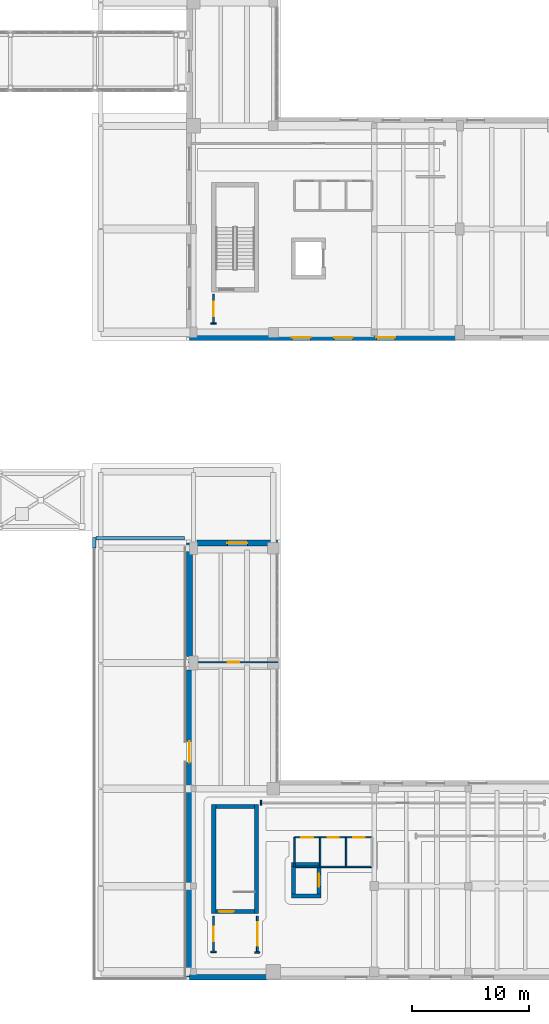
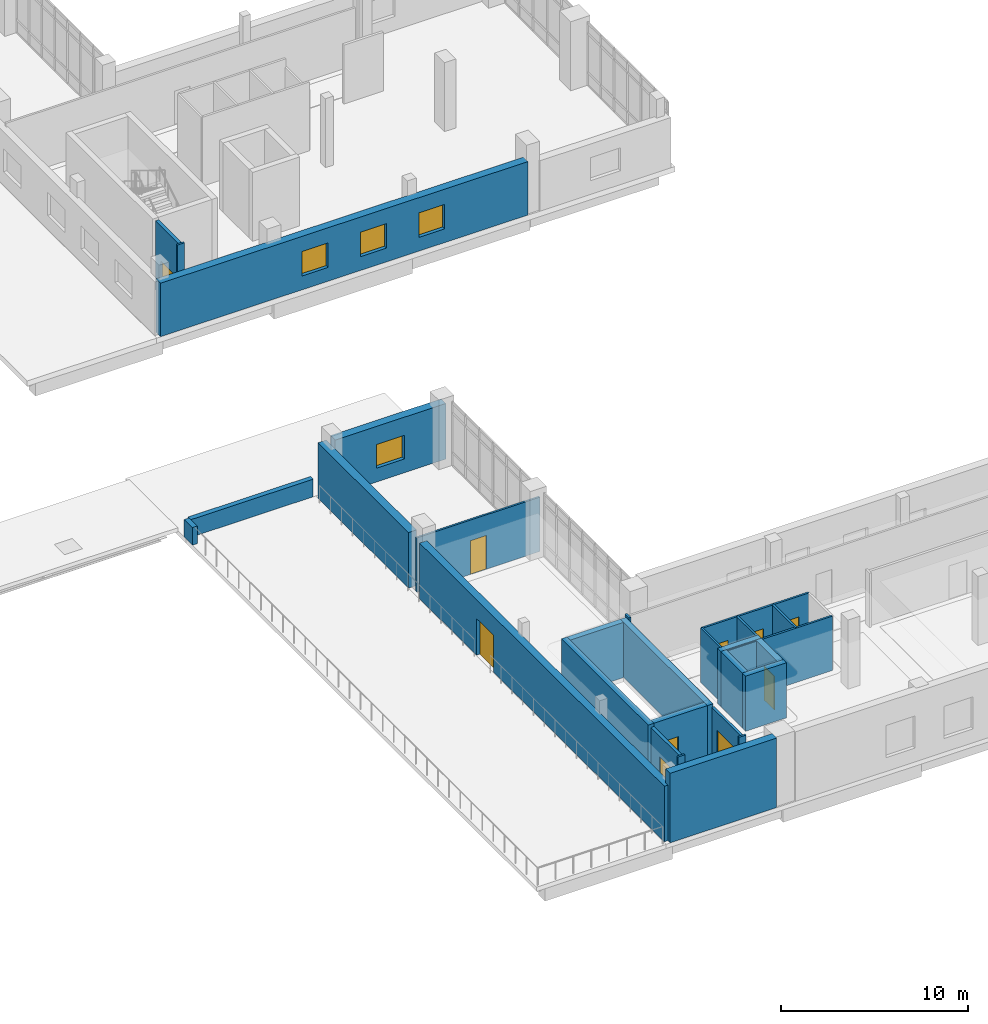
# One storey, part 52 of 75: 28 walls, 10 doors, 4 windows, 14 openings.
"""IFC4 building model written with IfcOpenShell, lengths in metres."""

from ifc_helpers import new_model, si_unit, direction, frame, frame_2d, origin, place, context, subcontext, project, spatial, rectangle, extrude, material, layer, layer_set, type_object, element, fill, save


model = new_model("IFC4")

# Units and contexts
model_context = context("Model", 3, precision=1e-05, world=origin(), true_north=direction((0.0, 1.0)))
body_context = subcontext(model_context, "Body", "Model", "MODEL_VIEW")
ifc_project = project(units=[si_unit("LENGTHUNIT", "METRE"), si_unit("AREAUNIT", "SQUARE_METRE"), si_unit("VOLUMEUNIT", "CUBIC_METRE"), si_unit("PLANEANGLEUNIT", "RADIAN"), si_unit("MASSUNIT", "GRAM", prefix="KILO")], contexts=[model_context])

# Site, building, storey
site_placement = place(None, origin())
site = spatial("IfcSite", under=ifc_project, at=site_placement, CompositionType="ELEMENT")
building_placement = place(site_placement, origin())
building = spatial("IfcBuilding", under=site, at=building_placement, Name="Soyqirgoq Riverine Aquarium", CompositionType="ELEMENT")
storey_placement = place(building_placement, frame((0.0, 0.0, 10.199951171875)))
storey = spatial("IfcBuildingStorey", under=building, at=storey_placement, Name="L03", CompositionType="ELEMENT", Elevation=10.199951171875)

# Walls
ifc_material_1 = material(Name="Concrete C40/50", Category="concrete")
ifc_layer_1 = layer(ifc_material_1, 0.35009765625)
ifc_layer_set_1 = layer_set([ifc_layer_1], Name="Concrete C40/50")
wall_type_1 = type_object("IfcWallType", Name="CoreShearWall_350_C40", PredefinedType="SHEAR", material=ifc_layer_set_1)
wall_1_placement = place(storey_placement, frame((127.97509765625, 7.14990234375, 0.0), z_axis=(0.0, 0.0, 1.0), x_axis=(0.0, 1.0, 0.0)))
element("IfcWall", 1, at=wall_1_placement, inside=storey, type_object=wall_type_1, Name="CORE-6 L03 Stair Core Shear Wall SIDE1", PredefinedType="SHEAR", context=body_context, shape_type="SweptSolid", body=[
    extrude(rectangle(XDim=9.300048828125, YDim=0.35009765625, at=frame_2d((4.64990234375, 0.0))), origin(), (0.0, 0.0, 1.0), 3.60009765625),
])
wall_2_placement = place(storey_placement, frame((127.800048828125, 16.27490234375, 0.0), z_axis=(0.0, 0.0, 1.0), x_axis=(-1.0, 0.0, 0.0)))
element("IfcWall", 2, at=wall_2_placement, inside=storey, type_object=wall_type_1, Name="CORE-6 L03 Stair Core Shear Wall BACK", PredefinedType="SHEAR", context=body_context, shape_type="SweptSolid", body=[
    extrude(rectangle(XDim=3.300048828125, YDim=0.35009765625, at=frame_2d((1.64990234375, 0.0))), origin(), (0.0, 0.0, 1.0), 3.60009765625),
])
wall_3_placement = place(storey_placement, frame((124.324951171875, 16.449951171875, 0.0), z_axis=(0.0, 0.0, 1.0), x_axis=(0.0, -1.0, 0.0)))
element("IfcWall", 3, at=wall_3_placement, inside=storey, type_object=wall_type_1, Name="CORE-6 L03 Stair Core Shear Wall SIDE2", PredefinedType="SHEAR", context=body_context, shape_type="SweptSolid", body=[
    extrude(rectangle(XDim=9.300048828125, YDim=0.35009765625, at=frame_2d((4.64990234375, 0.0))), origin(), (0.0, 0.0, 1.0), 3.60009765625),
])

# Wall, opening, door
wall_4_placement = place(storey_placement, frame((124.5, 7.324951171875, 0.0), z_axis=(0.0, 0.0, 1.0), x_axis=(1.0, 0.0, 0.0)))
wall_4 = element("IfcWall", 4, at=wall_4_placement, inside=storey, type_object=wall_type_1, Name="CORE-6 L03 Stair Core Shear Wall FRONT", PredefinedType="SHEAR", context=body_context, shape_type="SweptSolid", body=[
    extrude(rectangle(XDim=3.300048828125, YDim=0.35009765625, at=frame_2d((1.64990234375, 0.0))), origin(), (0.0, 0.0, 1.0), 3.60009765625),
])
opening_1_placement = place(wall_4_placement, frame((0.280029296875, 0.0, 0.0)))
opening_1 = element("IfcOpeningElement", 5, at=opening_1_placement, cuts=wall_4, Name="Opening FD-01", PredefinedType="OPENING", context=body_context, shape_type="SweptSolid", body=[
    extrude(rectangle(XDim=1.25, YDim=2.199951171875, at=frame_2d((0.625, 1.10009765625))), frame((0.0, 0.18505859375, 0.0), z_axis=(0.0, -1.0, 0.0), x_axis=(1.0, 0.0, 0.0)), (0.0, 0.0, 1.0), 0.3701171875),
])
ifc_material_2 = material(Name="Galvanised steel fire-resisting stair door", Category="steel")
door_type_1 = type_object("IfcDoorType", Name="StairFireDoor_1250x2200_EI90", OperationType="NOTDEFINED", PredefinedType="DOOR", material=ifc_material_2)
door_1_placement = place(opening_1_placement, origin())
door_1 = element("IfcDoor", 6, at=door_1_placement, inside=storey, type_object=door_type_1, Name="DR-ST-7-L03 ST-7 L03 Fire-Rated Stairwell Door", OperationType="SINGLE_SWING_RIGHT", OverallHeight=2.199951171875, OverallWidth=1.25, PredefinedType="DOOR", context=body_context, shape_type="SweptSolid", body=[
    extrude(rectangle(XDim=1.25, YDim=2.199951171875, at=frame_2d((0.625, 1.10009765625))), frame((0.0, 0.02490234375, 0.0), z_axis=(0.0, -1.0, 0.0), x_axis=(1.0, 0.0, 0.0)), (0.0, 0.0, 1.0), 0.050048828125),
])
fill(opening_1, door_1)

# Wall
wall_5_placement = place(storey_placement, frame((130.945068359375, 8.669921875, 0.0), z_axis=(0.0, 0.0, 1.0), x_axis=(1.0, 0.0, 0.0)))
element("IfcWall", 7, at=wall_5_placement, inside=storey, type_object=wall_type_1, Name="Lift PL-4 Shaft Wall L03 1", PredefinedType="SHEAR", context=body_context, shape_type="SweptSolid", body=[
    extrude(rectangle(XDim=2.510009765625, YDim=0.35009765625, at=frame_2d((1.2548828125, 0.0))), origin(), (0.0, 0.0, 1.0), 3.60009765625),
])

# Wall, opening, door
wall_6_placement = place(storey_placement, frame((133.280029296875, 8.844970703125, 0.0), z_axis=(0.0, 0.0, 1.0), x_axis=(0.0, 1.0, 0.0)))
wall_6 = element("IfcWall", 8, at=wall_6_placement, inside=storey, type_object=wall_type_1, Name="Lift PL-4 Shaft Wall L03 2", PredefinedType="SHEAR", context=body_context, shape_type="SweptSolid", body=[
    extrude(rectangle(XDim=2.31005859375, YDim=0.35009765625, at=frame_2d((1.155029296875, 0.0))), origin(), (0.0, 0.0, 1.0), 3.60009765625),
])
opening_2_placement = place(wall_6_placement, frame((0.60498046875, 0.0, 0.0)))
opening_2 = element("IfcOpeningElement", 9, at=opening_2_placement, cuts=wall_6, Name="Opening LD-01", PredefinedType="OPENING", context=body_context, shape_type="SweptSolid", body=[
    extrude(rectangle(XDim=1.10009765625, YDim=2.199951171875, at=frame_2d((0.550048828125, 1.10009765625))), frame((0.0, 0.18505859375, 0.0), z_axis=(0.0, -1.0, 0.0), x_axis=(1.0, 0.0, 0.0)), (0.0, 0.0, 1.0), 0.3701171875),
])
ifc_material_3 = material(Name="Brushed stainless steel telescopic lift landing door", Category="steel")
door_type_2 = type_object("IfcDoorType", Name="LiftLandingDoor_1100x2200", OperationType="SLIDING_TO_LEFT", PredefinedType="DOOR", material=ifc_material_3)
door_2_placement = place(opening_2_placement, origin())
door_2 = element("IfcDoor", 10, at=door_2_placement, inside=storey, type_object=door_type_2, Name="LD-PL-4-L03 Lift PL-4 L03 Sliding Landing Door", OperationType="SLIDING_TO_LEFT", OverallHeight=2.199951171875, OverallWidth=1.10009765625, PredefinedType="DOOR", context=body_context, shape_type="SweptSolid", body=[
    extrude(rectangle(XDim=1.10009765625, YDim=2.199951171875, at=frame_2d((0.550048828125, 1.10009765625))), frame((0.0, 0.02490234375, 0.0), z_axis=(0.0, -1.0, 0.0), x_axis=(1.0, 0.0, 0.0)), (0.0, 0.0, 1.0), 0.050048828125),
])
fill(opening_2, door_2)

# Walls
wall_7_placement = place(storey_placement, frame((133.455078125, 11.330078125, 0.0), z_axis=(0.0, 0.0, 1.0), x_axis=(-1.0, 0.0, 0.0)))
element("IfcWall", 11, at=wall_7_placement, inside=storey, type_object=wall_type_1, Name="Lift PL-4 Shaft Wall L03 3", PredefinedType="SHEAR", context=body_context, shape_type="SweptSolid", body=[
    extrude(rectangle(XDim=2.510009765625, YDim=0.35009765625, at=frame_2d((1.2548828125, 0.0))), origin(), (0.0, 0.0, 1.0), 3.60009765625),
])
wall_8_placement = place(storey_placement, frame((131.1201171875, 11.155029296875, 0.0), z_axis=(0.0, 0.0, 1.0), x_axis=(0.0, -1.0, 0.0)))
element("IfcWall", 12, at=wall_8_placement, inside=storey, type_object=wall_type_1, Name="Lift PL-4 Shaft Wall L03 4", PredefinedType="SHEAR", context=body_context, shape_type="SweptSolid", body=[
    extrude(rectangle(XDim=2.31005859375, YDim=0.35009765625, at=frame_2d((1.155029296875, 0.0))), origin(), (0.0, 0.0, 1.0), 3.60009765625),
])
ifc_material_4 = material(Name="Precast concrete C40/50", Category="concrete")
ifc_layer_2 = layer(ifc_material_4, 0.300048828125)
ifc_layer_set_2 = layer_set([ifc_layer_2], Name="Precast concrete C40/50")
wall_type_2 = type_object("IfcWallType", Name="ParapetWall_300", PredefinedType="PARAPET", material=ifc_layer_set_2)
wall_9_placement = place(storey_placement, frame((114.14990234375, 38.320068359375, 0.0), z_axis=(0.0, 0.0, 1.0), x_axis=(0.0, 1.0, 0.0)))
element("IfcWall", 13, at=wall_9_placement, inside=storey, type_object=wall_type_2, Name="L03 Terrace to Step-Roof West Return Parapet", PredefinedType="PARAPET", context=body_context, shape_type="SweptSolid", body=[
    extrude(rectangle(XDim=0.8798828125, YDim=0.300048828125, at=frame_2d((0.43994140625, 0.0))), origin(), (0.0, 0.0, 1.0), 1.150146484375),
])
wall_10_placement = place(storey_placement, frame((114.300048828125, 39.14990234375, 0.0), z_axis=(0.0, 0.0, 1.0), x_axis=(1.0, 0.0, 0.0)))
element("IfcWall", 14, at=wall_10_placement, inside=storey, type_object=wall_type_2, Name="L03 Terrace to Step-Roof Divider Parapet", PredefinedType="PARAPET", context=body_context, shape_type="SweptSolid", body=[
    extrude(rectangle(XDim=7.550048828125, YDim=0.300048828125, at=frame_2d((3.77490234375, 0.0))), origin(), (0.0, 0.0, 1.0), 1.150146484375),
])

# Wall, opening, door
ifc_material_5 = material(Name="Lightweight steel-stud gypsum partition", Category="steel")
ifc_layer_3 = layer(ifc_material_5, 0.1201171875)
ifc_layer_set_3 = layer_set([ifc_layer_3], Name="Lightweight steel-stud gypsum partition")
wall_type_3 = type_object("IfcWallType", Name="PartitionWall_120_Std", PredefinedType="PARTITIONING", material=ifc_layer_set_3)
wall_11_placement = place(storey_placement, frame((122.199951171875, 28.580078125, 0.0), z_axis=(0.0, 0.0, 1.0), x_axis=(1.0, 0.0, 0.0)))
wall_11 = element("IfcWall", 15, at=wall_11_placement, inside=storey, type_object=wall_type_3, Name="Marine Library Partition Wall", PredefinedType="PARTITIONING", context=body_context, shape_type="SweptSolid", body=[
    extrude(rectangle(XDim=7.60009765625, YDim=0.1201171875, at=frame_2d((3.800048828125, 0.0))), origin(), (0.0, 0.0, 1.0), 3.550048828125),
])
opening_3_placement = place(wall_11_placement, frame((3.300048828125, 0.0, 0.0)))
opening_3 = element("IfcOpeningElement", 16, at=opening_3_placement, cuts=wall_11, Name="Opening ID-03", PredefinedType="OPENING", context=body_context, shape_type="SweptSolid", body=[
    extrude(rectangle(XDim=1.0, YDim=2.199951171875, at=frame_2d((0.5, 1.10009765625))), frame((0.0, 0.070068359375, 0.0), z_axis=(0.0, -1.0, 0.0), x_axis=(1.0, 0.0, 0.0)), (0.0, 0.0, 1.0), 0.14013671875),
])
ifc_material_6 = material(Name="Solid-core ash veneer room door", Category="wood")
door_type_3 = type_object("IfcDoorType", Name="RoomDoor_1000x2200", OperationType="NOTDEFINED", PredefinedType="DOOR", material=ifc_material_6)
door_3_placement = place(opening_3_placement, origin())
door_3 = element("IfcDoor", 17, at=door_3_placement, inside=storey, type_object=door_type_3, Name="IDR-V6-L03-0201 Marine Library Door", OperationType="SINGLE_SWING_LEFT", OverallHeight=2.199951171875, OverallWidth=1.0, PredefinedType="DOOR", context=body_context, shape_type="SweptSolid", body=[
    extrude(rectangle(XDim=1.0, YDim=2.199951171875, at=frame_2d((0.5, 1.10009765625))), frame((0.0, 0.02490234375, 0.0), z_axis=(0.0, -1.0, 0.0), x_axis=(1.0, 0.0, 0.0)), (0.0, 0.0, 1.0), 0.050048828125),
])
fill(opening_3, door_3)

# Walls
wall_12_placement = place(storey_placement, frame((124.080078125, 3.89990234375, 0.0), z_axis=(0.0, 0.0, 1.0), x_axis=(1.0, 0.0, 0.0)))
element("IfcWall", 18, at=wall_12_placement, inside=storey, type_object=wall_type_3, Name="V6 L03 Jamb Return Pier", PredefinedType="PARTITIONING", context=body_context, shape_type="SweptSolid", body=[
    extrude(rectangle(XDim=0.43994140625, YDim=0.1201171875, at=frame_2d((0.219970703125, 0.0))), origin(), (0.0, 0.0, 1.0), 3.550048828125),
])
wall_13_placement = place(storey_placement, frame((128.35009765625, 16.820068359375, 0.0), z_axis=(0.0, 0.0, 1.0), x_axis=(0.0, -1.0, 0.0)))
element("IfcWall", 19, at=wall_13_placement, inside=storey, type_object=wall_type_3, Name="V6 L03 Jamb Return Pier", PredefinedType="PARTITIONING", context=body_context, shape_type="SweptSolid", body=[
    extrude(rectangle(XDim=0.440185546875, YDim=0.1201171875, at=frame_2d((0.22021484375, 0.0))), origin(), (0.0, 0.0, 1.0), 3.550048828125),
])
wall_14_placement = place(storey_placement, frame((127.820068359375, 3.860107421875, 0.0), z_axis=(0.0, 0.0, 1.0), x_axis=(1.0, 0.0, 0.0)))
element("IfcWall", 20, at=wall_14_placement, inside=storey, type_object=wall_type_3, Name="V6 L03 Jamb Return Pier", PredefinedType="PARTITIONING", context=body_context, shape_type="SweptSolid", body=[
    extrude(rectangle(XDim=0.43994140625, YDim=0.1201171875, at=frame_2d((0.219970703125, 0.0))), origin(), (0.0, 0.0, 1.0), 3.550048828125),
])
wall_15_placement = place(storey_placement, frame((124.080078125, 57.449951171875, 0.0), z_axis=(0.0, 0.0, 1.0), x_axis=(1.0, 0.0, 0.0)))
element("IfcWall", 21, at=wall_15_placement, inside=storey, type_object=wall_type_3, Name="V7 L03 Jamb Return Pier", PredefinedType="PARTITIONING", context=body_context, shape_type="SweptSolid", body=[
    extrude(rectangle(XDim=0.43994140625, YDim=0.1201171875, at=frame_2d((0.219970703125, 0.0))), origin(), (0.0, 0.0, 1.0), 4.5),
])

# Wall, openings, doors
ifc_material_7 = material(Name="Moisture-resistant cement-board wet-room partition", Category="gypsum")
ifc_layer_4 = layer(ifc_material_7, 0.125)
ifc_layer_set_4 = layer_set([ifc_layer_4], Name="Moisture-resistant cement-board wet-room partition")
wall_type_4 = type_object("IfcWallType", Name="PartitionWall_125_Wet", PredefinedType="PARTITIONING", material=ifc_layer_set_4)
wall_16_placement = place(storey_placement, frame((131.199951171875, 13.64990234375, 0.0), z_axis=(0.0, 0.0, 1.0), x_axis=(1.0, 0.0, 0.0)))
wall_16 = element("IfcWall", 22, at=wall_16_placement, inside=storey, type_object=wall_type_4, Name="V6 L03 WC Suite Front Wall", PredefinedType="PARTITIONING", context=body_context, shape_type="SweptSolid", body=[
    extrude(rectangle(XDim=6.60009765625, YDim=0.125, at=frame_2d((3.300048828125, 0.0))), origin(), (0.0, 0.0, 1.0), 3.550048828125),
])
opening_4_placement = place(wall_16_placement, frame((0.60009765625, 0.0, 0.0)))
opening_4 = element("IfcOpeningElement", 23, at=opening_4_placement, cuts=wall_16, Name="Opening ID-05", PredefinedType="OPENING", context=body_context, shape_type="SweptSolid", body=[
    extrude(rectangle(XDim=1.0, YDim=2.199951171875, at=frame_2d((0.5, 1.10009765625))), frame((0.0, 0.072509765625, 0.0), z_axis=(0.0, -1.0, 0.0), x_axis=(1.0, 0.0, 0.0)), (0.0, 0.0, 1.0), 0.14501953125),
])
opening_5_placement = place(wall_16_placement, frame((2.824951171875, 0.0, 0.0)))
opening_5 = element("IfcOpeningElement", 24, at=opening_5_placement, cuts=wall_16, Name="Opening ID-06", PredefinedType="OPENING", context=body_context, shape_type="SweptSolid", body=[
    extrude(rectangle(XDim=0.949951171875, YDim=2.199951171875, at=frame_2d((0.47509765625, 1.10009765625))), frame((0.0, 0.072509765625, 0.0), z_axis=(0.0, -1.0, 0.0), x_axis=(1.0, 0.0, 0.0)), (0.0, 0.0, 1.0), 0.14501953125),
])
opening_6_placement = place(wall_16_placement, frame((5.02490234375, 0.0, 0.0)))
opening_6 = element("IfcOpeningElement", 25, at=opening_6_placement, cuts=wall_16, Name="Opening ID-06", PredefinedType="OPENING", context=body_context, shape_type="SweptSolid", body=[
    extrude(rectangle(XDim=0.949951171875, YDim=2.199951171875, at=frame_2d((0.47509765625, 1.10009765625))), frame((0.0, 0.072509765625, 0.0), z_axis=(0.0, -1.0, 0.0), x_axis=(1.0, 0.0, 0.0)), (0.0, 0.0, 1.0), 0.14501953125),
])
ifc_material_8 = material(Name="Moisture-resistant HPL accessible washroom door", Category="wood")
door_type_4 = type_object("IfcDoorType", Name="AccessibleWCDoor_1000x2200", OperationType="NOTDEFINED", PredefinedType="DOOR", material=ifc_material_8)
door_4_placement = place(opening_4_placement, origin())
door_4 = element("IfcDoor", 26, at=door_4_placement, inside=storey, type_object=door_type_4, Name="IDR-V6-L03-0196 Accessible WC Door", OperationType="SINGLE_SWING_LEFT", OverallHeight=2.199951171875, OverallWidth=1.0, PredefinedType="DOOR", context=body_context, shape_type="SweptSolid", body=[
    extrude(rectangle(XDim=1.0, YDim=2.199951171875, at=frame_2d((0.5, 1.10009765625))), frame((0.0, 0.02490234375, 0.0), z_axis=(0.0, -1.0, 0.0), x_axis=(1.0, 0.0, 0.0)), (0.0, 0.0, 1.0), 0.050048828125),
])
fill(opening_4, door_4)
ifc_material_9 = material(Name="Moisture-resistant HPL washroom door", Category="wood")
door_type_5 = type_object("IfcDoorType", Name="WCDoor_950x2200", OperationType="NOTDEFINED", PredefinedType="DOOR", material=ifc_material_9)
door_5_placement = place(opening_5_placement, origin())
door_5 = element("IfcDoor", 27, at=door_5_placement, inside=storey, type_object=door_type_5, Name="IDR-V6-L03-0197 Public Female WC Door", OperationType="SINGLE_SWING_RIGHT", OverallHeight=2.199951171875, OverallWidth=0.949951171875, PredefinedType="DOOR", context=body_context, shape_type="SweptSolid", body=[
    extrude(rectangle(XDim=0.949951171875, YDim=2.199951171875, at=frame_2d((0.47509765625, 1.10009765625))), frame((0.0, 0.02490234375, 0.0), z_axis=(0.0, -1.0, 0.0), x_axis=(1.0, 0.0, 0.0)), (0.0, 0.0, 1.0), 0.050048828125),
])
fill(opening_5, door_5)
door_6_placement = place(opening_6_placement, origin())
door_6 = element("IfcDoor", 28, at=door_6_placement, inside=storey, type_object=door_type_5, Name="IDR-V6-L03-0198 Public Male WC Door", OperationType="SINGLE_SWING_LEFT", OverallHeight=2.199951171875, OverallWidth=0.949951171875, PredefinedType="DOOR", context=body_context, shape_type="SweptSolid", body=[
    extrude(rectangle(XDim=0.949951171875, YDim=2.199951171875, at=frame_2d((0.47509765625, 1.10009765625))), frame((0.0, 0.02490234375, 0.0), z_axis=(0.0, -1.0, 0.0), x_axis=(1.0, 0.0, 0.0)), (0.0, 0.0, 1.0), 0.050048828125),
])
fill(opening_6, door_6)

# Walls
wall_17_placement = place(storey_placement, frame((131.199951171875, 11.14990234375, 0.0), z_axis=(0.0, 0.0, 1.0), x_axis=(1.0, 0.0, 0.0)))
element("IfcWall", 29, at=wall_17_placement, inside=storey, type_object=wall_type_4, Name="V6 L03 WC Suite Back Wall", PredefinedType="PARTITIONING", context=body_context, shape_type="SweptSolid", body=[
    extrude(rectangle(XDim=6.60009765625, YDim=0.125, at=frame_2d((3.300048828125, 0.0))), origin(), (0.0, 0.0, 1.0), 3.550048828125),
])
for number, where, z_axis, x_axis, name in (
    (30, (131.199951171875, 11.14990234375, 0.0), (0.0, 0.0, 1.0), (0.0, 1.0, 0.0), "V6 L03 WC Suite West Wall"),
    (31, (133.39990234375, 11.14990234375, 0.0), (0.0, 0.0, 1.0), (0.0, 1.0, 0.0), "V6 L03 WC Cubicle Divider 1"),
    (32, (135.60009765625, 11.14990234375, 0.0), (0.0, 0.0, 1.0), (0.0, 1.0, 0.0), "V6 L03 WC Cubicle Divider 2"),
):
    element("IfcWall", number, at=place(storey_placement, frame(where, z_axis=z_axis, x_axis=x_axis)), inside=storey, type_object=wall_type_4, Name=name, PredefinedType="PARTITIONING", context=body_context, shape_type="SweptSolid", body=[
        extrude(rectangle(XDim=2.5, YDim=0.125, at=frame_2d((1.25, 0.0))), origin(), (0.0, 0.0, 1.0), 3.550048828125),
    ])

# Wall, opening, door
ifc_material_10 = material(Name="Fire-rated acoustic gypsum stud partition", Category="gypsum")
ifc_layer_5 = layer(ifc_material_10, 0.159912109375)
ifc_layer_set_5 = layer_set([ifc_layer_5], Name="Fire-rated acoustic gypsum stud partition")
wall_type_5 = type_object("IfcWallType", Name="PartitionWall_160_EI60", PredefinedType="PARTITIONING", material=ifc_layer_set_5)
wall_18_placement = place(storey_placement, frame((128.0400390625, 6.949951171875, 0.0), z_axis=(0.0, 0.0, 1.0), x_axis=(0.0, -1.0, 0.0)))
wall_18 = element("IfcWall", 33, at=wall_18_placement, inside=storey, type_object=wall_type_5, Name="Marine Seminar Room Partition Wall", PredefinedType="PARTITIONING", context=body_context, shape_type="SweptSolid", body=[
    extrude(rectangle(XDim=3.08984375, YDim=0.159912109375, at=frame_2d((1.544921875, 0.0))), origin(), (0.0, 0.0, 1.0), 3.550048828125),
])
opening_7_placement = place(wall_18_placement, frame((0.544921875, 0.0, 0.0)))
opening_7 = element("IfcOpeningElement", 34, at=opening_7_placement, cuts=wall_18, Name="Opening ID-02", PredefinedType="OPENING", context=body_context, shape_type="SweptSolid", body=[
    extrude(rectangle(XDim=2.0, YDim=2.39990234375, at=frame_2d((1.0, 1.199951171875))), frame((0.0, 0.08984375, 0.0), z_axis=(0.0, -1.0, 0.0), x_axis=(1.0, 0.0, 0.0)), (0.0, 0.0, 1.0), 0.179931640625),
])
ifc_material_11 = material(Name="Acoustic solid oak auditorium double door", Category="wood")
door_type_6 = type_object("IfcDoorType", Name="AuditoriumDoubleDoor_2000x2400", OperationType="DOUBLE_DOOR_DOUBLE_SWING", PredefinedType="DOOR", material=ifc_material_11)
door_7_placement = place(opening_7_placement, origin())
door_7 = element("IfcDoor", 35, at=door_7_placement, inside=storey, type_object=door_type_6, Name="IDR-V6-L03-0203 Marine Seminar Room Door", OperationType="DOUBLE_DOOR_DOUBLE_SWING", OverallHeight=2.39990234375, OverallWidth=2.0, PredefinedType="DOOR", context=body_context, shape_type="SweptSolid", body=[
    extrude(rectangle(XDim=2.0, YDim=2.39990234375, at=frame_2d((1.0, 1.199951171875))), frame((0.0, 0.02490234375, 0.0), z_axis=(0.0, -1.0, 0.0), x_axis=(1.0, 0.0, 0.0)), (0.0, 0.0, 1.0), 0.050048828125),
])
fill(opening_7, door_7)

ifc_material_12 = material(Name="Fire-rated calcium silicate twin-stud partition", Category="gypsum")
ifc_layer_6 = layer(ifc_material_12, 0.199951171875)
ifc_layer_set_6 = layer_set([ifc_layer_6], Name="Fire-rated calcium silicate twin-stud partition")
wall_type_6 = type_object("IfcWallType", Name="PartitionWall_200_EI90", PredefinedType="PARTITIONING", material=ifc_layer_set_6)
wall_19_placement = place(storey_placement, frame((124.300048828125, 6.949951171875, 0.0), z_axis=(0.0, 0.0, 1.0), x_axis=(0.0, -1.0, 0.0)))
wall_19 = element("IfcWall", 36, at=wall_19_placement, inside=storey, type_object=wall_type_6, Name="Lift and Stair Lobby ST-7 Fire Enclosure Wall", PredefinedType="PARTITIONING", context=body_context, shape_type="SweptSolid", body=[
    extrude(rectangle(XDim=3.050048828125, YDim=0.199951171875, at=frame_2d((1.52490234375, 0.0))), origin(), (0.0, 0.0, 1.0), 3.550048828125),
])
opening_8_placement = place(wall_19_placement, frame((0.89990234375, 0.0, 0.0)))
opening_8 = element("IfcOpeningElement", 37, at=opening_8_placement, cuts=wall_19, Name="Opening FD-01", PredefinedType="OPENING", context=body_context, shape_type="SweptSolid", body=[
    extrude(rectangle(XDim=1.25, YDim=2.199951171875, at=frame_2d((0.625, 1.10009765625))), frame((0.0, 0.10986328125, 0.0), z_axis=(0.0, -1.0, 0.0), x_axis=(1.0, 0.0, 0.0)), (0.0, 0.0, 1.0), 0.219970703125),
])
door_8_placement = place(opening_8_placement, origin())
door_8 = element("IfcDoor", 38, at=door_8_placement, inside=storey, type_object=door_type_1, Name="IDR-V6-L03-0199 Lift and Stair Lobby ST-7 Egress Fire Door", OperationType="SINGLE_SWING_LEFT", OverallHeight=2.199951171875, OverallWidth=1.25, PredefinedType="DOOR", context=body_context, shape_type="SweptSolid", body=[
    extrude(rectangle(XDim=1.25, YDim=2.199951171875, at=frame_2d((0.625, 1.10009765625))), frame((0.0, 0.02490234375, 0.0), z_axis=(0.0, -1.0, 0.0), x_axis=(1.0, 0.0, 0.0)), (0.0, 0.0, 1.0), 0.050048828125),
])
fill(opening_8, door_8)

wall_20_placement = place(storey_placement, frame((124.300048828125, 59.949951171875, 0.0), z_axis=(0.0, 0.0, 1.0), x_axis=(0.0, -1.0, 0.0)))
wall_20 = element("IfcWall", 39, at=wall_20_placement, inside=storey, type_object=wall_type_6, Name="Lift and Stair Lobby ST-8 Fire Enclosure Wall", PredefinedType="PARTITIONING", context=body_context, shape_type="SweptSolid", body=[
    extrude(rectangle(XDim=2.5, YDim=0.199951171875, at=frame_2d((1.25, 0.0))), origin(), (0.0, 0.0, 1.0), 4.5),
])
opening_9_placement = place(wall_20_placement, frame((0.625, 0.0, 0.0)))
opening_9 = element("IfcOpeningElement", 40, at=opening_9_placement, cuts=wall_20, Name="Opening FD-01", PredefinedType="OPENING", context=body_context, shape_type="SweptSolid", body=[
    extrude(rectangle(XDim=1.25, YDim=2.199951171875, at=frame_2d((0.625, 1.10009765625))), frame((0.0, 0.10986328125, 0.0), z_axis=(0.0, -1.0, 0.0), x_axis=(1.0, 0.0, 0.0)), (0.0, 0.0, 1.0), 0.219970703125),
])
door_9_placement = place(opening_9_placement, origin())
door_9 = element("IfcDoor", 41, at=door_9_placement, inside=storey, type_object=door_type_1, Name="IDR-V7-L03-0236 Lift and Stair Lobby ST-8 Egress Fire Door", OperationType="SINGLE_SWING_LEFT", OverallHeight=2.199951171875, OverallWidth=1.25, PredefinedType="DOOR", context=body_context, shape_type="SweptSolid", body=[
    extrude(rectangle(XDim=1.25, YDim=2.199951171875, at=frame_2d((0.625, 1.10009765625))), frame((0.0, 0.02490234375, 0.0), z_axis=(0.0, -1.0, 0.0), x_axis=(1.0, 0.0, 0.0)), (0.0, 0.0, 1.0), 0.050048828125),
])
fill(opening_9, door_9)

ifc_material_13 = material(Name="Honed travertine limestone cavity wall", Category="masonry")
ifc_layer_7 = layer(ifc_material_13, 0.449951171875)
ifc_layer_set_7 = layer_set([ifc_layer_7], Name="Honed travertine limestone cavity wall")
wall_type_7 = type_object("IfcWallType", Name="TravertineCavityWall_450", PredefinedType="SOLIDWALL", material=ifc_layer_set_7)
wall_21_placement = place(storey_placement, frame((122.25, 1.75, 0.0), z_axis=(0.0, 0.0, 1.0), x_axis=(0.0, 1.0, 0.0)))
wall_21 = element("IfcWall", 42, at=wall_21_placement, inside=storey, type_object=wall_type_7, Name="V6 L03 Exterior Travertine Wall 0357", PredefinedType="SOLIDWALL", context=body_context, shape_type="SweptSolid", body=[
    extrude(rectangle(XDim=26.179931640625, YDim=0.449951171875, at=frame_2d((13.08984375, 0.0))), origin(), (0.0, 0.0, 1.0), 3.630126953125),
])
opening_10_placement = place(wall_21_placement, frame((18.284912109375, 0.0, 0.0)))
opening_10 = element("IfcOpeningElement", 43, at=opening_10_placement, cuts=wall_21, Name="Opening TD-01", PredefinedType="OPENING", context=body_context, shape_type="SweptSolid", body=[
    extrude(rectangle(XDim=1.800048828125, YDim=2.39990234375, at=frame_2d((0.89990234375, 1.199951171875))), frame((0.0, 0.23486328125, 0.0), z_axis=(0.0, -1.0, 0.0), x_axis=(1.0, 0.0, 0.0)), (0.0, 0.0, 1.0), 0.469970703125),
])
ifc_material_14 = material(Name="Thermally broken aluminium glazed terrace door", Category="aluminium")
door_type_7 = type_object("IfcDoorType", Name="TerraceDoubleDoor_1800x2400", OperationType="DOUBLE_DOOR_SINGLE_SWING", PredefinedType="DOOR", material=ifc_material_14)
door_10_placement = place(opening_10_placement, origin())
door_10 = element("IfcDoor", 44, at=door_10_placement, inside=storey, type_object=door_type_7, Name="EDR-TERR-V6-L03-033 V6 L03 Planted Roof Terrace Access Door", OperationType="DOUBLE_DOOR_SINGLE_SWING", OverallHeight=2.39990234375, OverallWidth=1.800048828125, PredefinedType="DOOR", context=body_context, shape_type="SweptSolid", body=[
    extrude(rectangle(XDim=1.800048828125, YDim=2.39990234375, at=frame_2d((0.89990234375, 1.199951171875))), frame((0.0, 0.02490234375, 0.0), z_axis=(0.0, -1.0, 0.0), x_axis=(1.0, 0.0, 0.0)), (0.0, 0.0, 1.0), 0.050048828125),
])
fill(opening_10, door_10)

# Wall
ifc_material_15 = material(Name="Honed travertine limestone cavity wall", Category="masonry")
ifc_layer_8 = layer(ifc_material_15, 0.47998046875)
ifc_layer_set_8 = layer_set([ifc_layer_8], Name="Honed travertine limestone cavity wall")
wall_type_8 = type_object("IfcWallType", Name="TravertineCavityWall_480", PredefinedType="SOLIDWALL", material=ifc_layer_set_8)
wall_22_placement = place(storey_placement, frame((128.830078125, 1.75, 0.0), z_axis=(0.0, 0.0, 1.0), x_axis=(-1.0, 0.0, 0.0)))
element("IfcWall", 45, at=wall_22_placement, inside=storey, type_object=wall_type_8, Name="V6 L03 Exterior Travertine Wall 0362", PredefinedType="SOLIDWALL", context=body_context, shape_type="SweptSolid", body=[
    extrude(rectangle(XDim=6.580078125, YDim=0.47998046875, at=frame_2d((3.2900390625, 0.0))), origin(), (0.0, 0.0, 1.0), 4.5400390625),
])

# Wall, openings, windows
wall_23_placement = place(storey_placement, frame((144.929931640625, 56.25, 0.0), z_axis=(0.0, 0.0, 1.0), x_axis=(-1.0, 0.0, 0.0)))
wall_23 = element("IfcWall", 46, at=wall_23_placement, inside=storey, type_object=wall_type_8, Name="V7 L03 Exterior Travertine Wall 0393", PredefinedType="SOLIDWALL", context=body_context, shape_type="SweptSolid", body=[
    extrude(rectangle(XDim=22.679931640625, YDim=0.47998046875, at=frame_2d((11.33984375, 0.0))), origin(), (0.0, 0.0, 1.0), 3.489990234375),
])
opening_11_placement = place(wall_23_placement, frame((5.139892578125, 0.0, 0.89990234375)))
opening_11 = element("IfcOpeningElement", 47, at=opening_11_placement, cuts=wall_23, Name="Opening WN-06", PredefinedType="OPENING", context=body_context, shape_type="SweptSolid", body=[
    extrude(rectangle(XDim=1.60009765625, YDim=1.60009765625, at=frame_2d((0.800048828125, 0.800048828125))), frame((0.0, 0.25, 0.0), z_axis=(0.0, -1.0, 0.0), x_axis=(1.0, 0.0, 0.0)), (0.0, 0.0, 1.0), 0.5),
])
opening_12_placement = place(wall_23_placement, frame((8.739990234375, 0.0, 0.89990234375)))
opening_12 = element("IfcOpeningElement", 48, at=opening_12_placement, cuts=wall_23, Name="Opening WN-06", PredefinedType="OPENING", context=body_context, shape_type="SweptSolid", body=[
    extrude(rectangle(XDim=1.60009765625, YDim=1.60009765625, at=frame_2d((0.800048828125, 0.800048828125))), frame((0.0, 0.25, 0.0), z_axis=(0.0, -1.0, 0.0), x_axis=(1.0, 0.0, 0.0)), (0.0, 0.0, 1.0), 0.5),
])
opening_13_placement = place(wall_23_placement, frame((12.340087890625, 0.0, 0.89990234375)))
opening_13 = element("IfcOpeningElement", 49, at=opening_13_placement, cuts=wall_23, Name="Opening WN-06", PredefinedType="OPENING", context=body_context, shape_type="SweptSolid", body=[
    extrude(rectangle(XDim=1.60009765625, YDim=1.60009765625, at=frame_2d((0.800048828125, 0.800048828125))), frame((0.0, 0.25, 0.0), z_axis=(0.0, -1.0, 0.0), x_axis=(1.0, 0.0, 0.0)), (0.0, 0.0, 1.0), 0.5),
])
ifc_material_16 = material(Name="Thermally broken aluminium triple low-E window", Category="aluminium")
window_type_1 = type_object("IfcWindowType", Name="Win_Lab_1600x1600", PartitioningType="DOUBLE_PANEL_VERTICAL", PredefinedType="WINDOW", material=ifc_material_16)
window_1_placement = place(opening_11_placement, origin())
window_1 = element("IfcWindow", 50, at=window_1_placement, inside=storey, type_object=window_type_1, Name="V7 L03 Facade Window 0358", OverallHeight=1.60009765625, OverallWidth=1.60009765625, PartitioningType="DOUBLE_PANEL_VERTICAL", PredefinedType="WINDOW", context=body_context, shape_type="SweptSolid", body=[
    extrude(rectangle(XDim=1.60009765625, YDim=1.60009765625, at=frame_2d((0.800048828125, 0.800048828125))), frame((0.0, 0.030029296875, 0.0), z_axis=(0.0, -1.0, 0.0), x_axis=(1.0, 0.0, 0.0)), (0.0, 0.0, 1.0), 0.06005859375),
])
fill(opening_11, window_1)
window_2_placement = place(opening_12_placement, origin())
window_2 = element("IfcWindow", 51, at=window_2_placement, inside=storey, type_object=window_type_1, Name="V7 L03 Facade Window 0359", OverallHeight=1.60009765625, OverallWidth=1.60009765625, PartitioningType="DOUBLE_PANEL_VERTICAL", PredefinedType="WINDOW", context=body_context, shape_type="SweptSolid", body=[
    extrude(rectangle(XDim=1.60009765625, YDim=1.60009765625, at=frame_2d((0.800048828125, 0.800048828125))), frame((0.0, 0.030029296875, 0.0), z_axis=(0.0, -1.0, 0.0), x_axis=(1.0, 0.0, 0.0)), (0.0, 0.0, 1.0), 0.06005859375),
])
fill(opening_12, window_2)
window_3_placement = place(opening_13_placement, origin())
window_3 = element("IfcWindow", 52, at=window_3_placement, inside=storey, type_object=window_type_1, Name="V7 L03 Facade Window 0360", OverallHeight=1.60009765625, OverallWidth=1.60009765625, PartitioningType="DOUBLE_PANEL_VERTICAL", PredefinedType="WINDOW", context=body_context, shape_type="SweptSolid", body=[
    extrude(rectangle(XDim=1.60009765625, YDim=1.60009765625, at=frame_2d((0.800048828125, 0.800048828125))), frame((0.0, 0.030029296875, 0.0), z_axis=(0.0, -1.0, 0.0), x_axis=(1.0, 0.0, 0.0)), (0.0, 0.0, 1.0), 0.06005859375),
])
fill(opening_13, window_3)

# Wall
ifc_material_17 = material(Name="Honed travertine limestone cavity wall", Category="masonry")
ifc_layer_9 = layer(ifc_material_17, 0.5)
ifc_layer_set_9 = layer_set([ifc_layer_9], Name="Honed travertine limestone cavity wall")
wall_type_9 = type_object("IfcWallType", Name="TravertineCavityWall_500", PredefinedType="SOLIDWALL", material=ifc_layer_set_9)
wall_24_placement = place(storey_placement, frame((122.25, 29.070068359375, 0.0), z_axis=(0.0, 0.0, 1.0), x_axis=(0.0, 1.0, 0.0)))
element("IfcWall", 53, at=wall_24_placement, inside=storey, type_object=wall_type_9, Name="V6 L03 Exterior Travertine Wall 0358", PredefinedType="SOLIDWALL", context=body_context, shape_type="SweptSolid", body=[
    extrude(rectangle(XDim=9.679931640625, YDim=0.5, at=frame_2d((4.83984375, 0.0))), origin(), (0.0, 0.0, 1.0), 3.630126953125),
])

# Wall, opening, window
wall_25_placement = place(storey_placement, frame((122.919921875, 38.75, 0.0), z_axis=(0.0, 0.0, 1.0), x_axis=(1.0, 0.0, 0.0)))
wall_25 = element("IfcWall", 54, at=wall_25_placement, inside=storey, type_object=wall_type_9, Name="V6 L03 Exterior Travertine Wall 0359", PredefinedType="SOLIDWALL", context=body_context, shape_type="SweptSolid", body=[
    extrude(rectangle(XDim=6.830078125, YDim=0.5, at=frame_2d((3.4150390625, 0.0))), origin(), (0.0, 0.0, 1.0), 3.630126953125),
])
opening_14_placement = place(wall_25_placement, frame((2.56494140625, 0.0, 0.89990234375)))
opening_14 = element("IfcOpeningElement", 55, at=opening_14_placement, cuts=wall_25, Name="Opening WN-21", PredefinedType="OPENING", context=body_context, shape_type="SweptSolid", body=[
    extrude(rectangle(XDim=1.699951171875, YDim=1.550048828125, at=frame_2d((0.85009765625, 0.77490234375))), frame((0.0, 0.260009765625, 0.0), z_axis=(0.0, -1.0, 0.0), x_axis=(1.0, 0.0, 0.0)), (0.0, 0.0, 1.0), 0.52001953125),
])
ifc_material_18 = material(Name="Thermally broken aluminium triple low-E window", Category="aluminium")
window_type_2 = type_object("IfcWindowType", Name="Win_Lab_1700x1550", PartitioningType="DOUBLE_PANEL_VERTICAL", PredefinedType="WINDOW", material=ifc_material_18)
window_4_placement = place(opening_14_placement, origin())
window_4 = element("IfcWindow", 56, at=window_4_placement, inside=storey, type_object=window_type_2, Name="V6 L03 Facade Window 0294", OverallHeight=1.550048828125, OverallWidth=1.699951171875, PartitioningType="DOUBLE_PANEL_VERTICAL", PredefinedType="WINDOW", context=body_context, shape_type="SweptSolid", body=[
    extrude(rectangle(XDim=1.699951171875, YDim=1.550048828125, at=frame_2d((0.85009765625, 0.77490234375))), frame((0.0, 0.030029296875, 0.0), z_axis=(0.0, -1.0, 0.0), x_axis=(1.0, 0.0, 0.0)), (0.0, 0.0, 1.0), 0.06005859375),
])
fill(opening_14, window_4)

save(model, "model.ifc")
